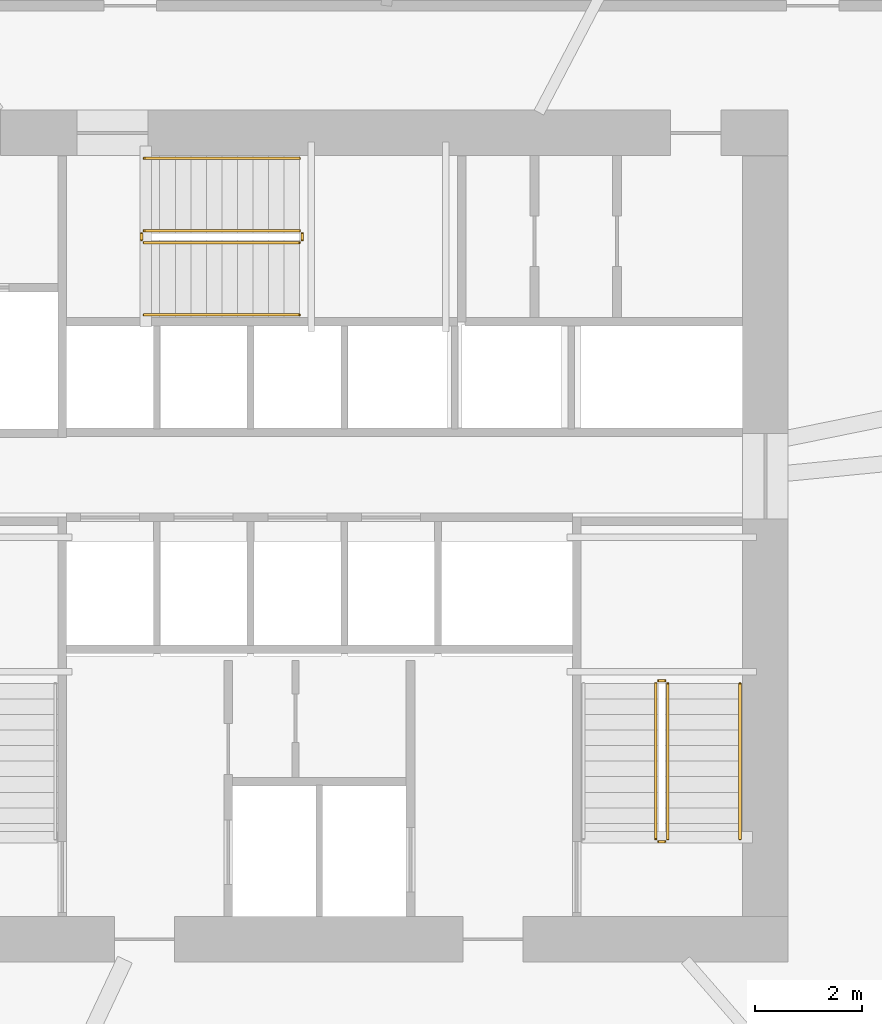
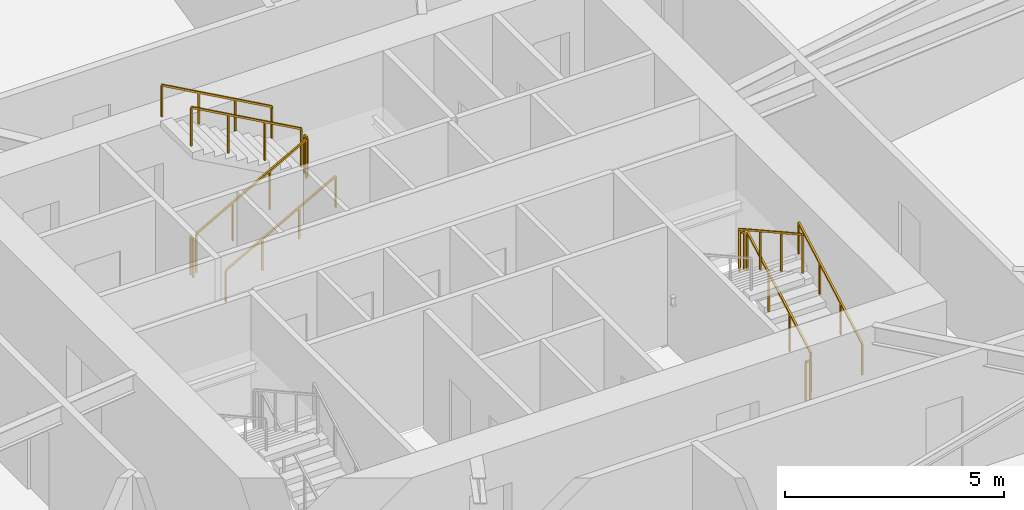
# One storey, part 21 of 22: 11 railings.
"""IFC4 building model written with IfcOpenShell, lengths in metres."""

from ifc_helpers import new_model, si_unit, direction, frame, origin, origin_2d, place, context, subcontext, project, spatial, rectangle, extrude, material, type_object, element, save


model = new_model("IFC4")

# Units and contexts
model_context = context("Model", 3, precision=1e-05, world=origin(), true_north=direction((0.0, 1.0)))
body_context = subcontext(model_context, "Body", "Model", "MODEL_VIEW")
ifc_project = project(units=[si_unit("LENGTHUNIT", "METRE"), si_unit("AREAUNIT", "SQUARE_METRE"), si_unit("VOLUMEUNIT", "CUBIC_METRE"), si_unit("PLANEANGLEUNIT", "RADIAN"), si_unit("MASSUNIT", "GRAM", prefix="KILO")], contexts=[model_context])

# Site, building, storey
site_placement = place(None, origin())
site = spatial("IfcSite", under=ifc_project, at=site_placement, CompositionType="ELEMENT")
building_placement = place(site_placement, origin())
building = spatial("IfcBuilding", under=site, at=building_placement, Name="Olszyna Solenne Hotel", CompositionType="ELEMENT")
storey_placement = place(building_placement, frame((0.0, 0.0, 61.25)))
storey = spatial("IfcBuildingStorey", under=building, at=storey_placement, Name="L15", CompositionType="ELEMENT", Elevation=61.25)

# Railings
ifc_material_1 = material(Name="Anodised bronze aluminium", Category="aluminium")
railing_type_1 = type_object("IfcRailingType", Name="GR-110", PredefinedType="BALUSTRADE", material=ifc_material_1)
railing_1_placement = place(storey_placement, frame((44.5, 20.949951171875, 0.161376953125)))
element("IfcRailing", 1, at=railing_1_placement, inside=storey, type_object=railing_type_1, Name="L15 ST2 stair guard 1", PredefinedType="BALUSTRADE", context=body_context, shape_type="SweptSolid", body=[
    extrude(rectangle(XDim=0.048095703125, YDim=0.048095703125, at=origin_2d()), frame((0.0, 0.0, 1.076171875), z_axis=(0.0, 0.873858693841, 0.486179990537), x_axis=(-1.0, 0.0, 0.0)), (0.0, 0.0, 1.0), 3.31884765625),
    extrude(rectangle(XDim=0.0419921875, YDim=0.0419921875, at=origin_2d()), origin(), (0.0, 0.0, 1.0), 1.052001953125),
    extrude(rectangle(XDim=0.0419921875, YDim=0.0419921875, at=origin_2d()), frame((0.0, 0.966796875, 0.537841796875)), (0.0, 0.0, 1.0), 1.052001953125),
    extrude(rectangle(XDim=0.0419921875, YDim=0.0419921875, at=origin_2d()), frame((0.0, 1.933349609375, 1.07568359375)), (0.0, 0.0, 1.0), 1.052001953125),
    extrude(rectangle(XDim=0.0419921875, YDim=0.0419921875, at=origin_2d()), frame((0.0, 2.900146484375, 1.613525390625)), (0.0, 0.0, 1.0), 1.052001953125),
])
railing_2_placement = place(storey_placement, frame((44.449951171875, 23.89990234375, 1.77490234375)))
element("IfcRailing", 2, at=railing_2_placement, inside=storey, type_object=railing_type_1, Name="L15 ST2 stair guard 2", PredefinedType="BALUSTRADE", context=body_context, shape_type="SweptSolid", body=[
    extrude(rectangle(XDim=0.048095703125, YDim=0.048095703125, at=origin_2d()), frame((0.0, 0.0, 1.076171875), z_axis=(-1.0, 0.0, 0.0), x_axis=(0.0, -1.0, 0.0)), (0.0, 0.0, 1.0), 0.119873046875),
    extrude(rectangle(XDim=0.0419921875, YDim=0.0419921875, at=origin_2d()), origin(), (0.0, 0.0, 1.0), 1.052001953125),
    extrude(rectangle(XDim=0.0419921875, YDim=0.0419921875, at=origin_2d()), frame((-0.119873046875, 0.0, 0.0)), (0.0, 0.0, 1.0), 1.052001953125),
])
railing_3_placement = place(storey_placement, frame((44.280029296875, 23.85009765625, 1.936279296875)))
element("IfcRailing", 3, at=railing_3_placement, inside=storey, type_object=railing_type_1, Name="L15 ST2 stair guard 3", PredefinedType="BALUSTRADE", context=body_context, shape_type="SweptSolid", body=[
    extrude(rectangle(XDim=0.048095703125, YDim=0.048095703125, at=origin_2d()), frame((0.0, 0.0, 1.076171875), z_axis=(0.0, -0.873827439584, 0.48623616261), x_axis=(1.0, 0.0, 0.0)), (0.0, 0.0, 1.0), 3.31884765625),
    extrude(rectangle(XDim=0.0419921875, YDim=0.0419921875, at=origin_2d()), origin(), (0.0, 0.0, 1.0), 1.052001953125),
    extrude(rectangle(XDim=0.0419921875, YDim=0.0419921875, at=origin_2d()), frame((0.0, -0.966796875, 0.537841796875)), (0.0, 0.0, 1.0), 1.052001953125),
    extrude(rectangle(XDim=0.0419921875, YDim=0.0419921875, at=origin_2d()), frame((0.0, -1.933349609375, 1.075927734375)), (0.0, 0.0, 1.0), 1.052001953125),
    extrude(rectangle(XDim=0.0419921875, YDim=0.0419921875, at=origin_2d()), frame((0.0, -2.900146484375, 1.61376953125)), (0.0, 0.0, 1.0), 1.052001953125),
])
railing_4_placement = place(storey_placement, frame((44.449951171875, 20.89990234375, 0.0)))
element("IfcRailing", 4, at=railing_4_placement, inside=storey, type_object=railing_type_1, Name="L15 ST2 stair guard 4", PredefinedType="BALUSTRADE", context=body_context, shape_type="SweptSolid", body=[
    extrude(rectangle(XDim=0.048095703125, YDim=0.048095703125, at=origin_2d()), frame((0.0, 0.0, 1.076171875), z_axis=(-1.0, 0.0, 0.0), x_axis=(0.0, -1.0, 0.0)), (0.0, 0.0, 1.0), 0.119873046875),
    extrude(rectangle(XDim=0.0419921875, YDim=0.0419921875, at=origin_2d()), origin(), (0.0, 0.0, 1.0), 1.052001953125),
    extrude(rectangle(XDim=0.0419921875, YDim=0.0419921875, at=origin_2d()), frame((-0.119873046875, 0.0, 0.0)), (0.0, 0.0, 1.0), 1.052001953125),
])
railing_5_placement = place(storey_placement, frame((34.72998046875, 32.080078125, 0.161376953125)))
element("IfcRailing", 5, at=railing_5_placement, inside=storey, type_object=railing_type_1, Name="L15 ST3 stair guard 1", PredefinedType="BALUSTRADE", context=body_context, shape_type="SweptSolid", body=[
    extrude(rectangle(XDim=0.048095703125, YDim=0.048095703125, at=origin_2d()), frame((0.0, 0.0, 1.076171875), z_axis=(0.873841303929, 0.0, 0.486211245805), x_axis=(0.0, 1.0, 0.0)), (0.0, 0.0, 1.0), 3.318603515625),
    extrude(rectangle(XDim=0.0419921875, YDim=0.0419921875, at=origin_2d()), origin(), (0.0, 0.0, 1.0), 1.052001953125),
    extrude(rectangle(XDim=0.0419921875, YDim=0.0419921875, at=origin_2d()), frame((0.966552734375, 0.0, 0.537841796875)), (0.0, 0.0, 1.0), 1.052001953125),
    extrude(rectangle(XDim=0.0419921875, YDim=0.0419921875, at=origin_2d()), frame((1.933349609375, 0.0, 1.07568359375)), (0.0, 0.0, 1.0), 1.052001953125),
    extrude(rectangle(XDim=0.0419921875, YDim=0.0419921875, at=origin_2d()), frame((2.89990234375, 0.0, 1.613525390625)), (0.0, 0.0, 1.0), 1.052001953125),
])
railing_6_placement = place(storey_placement, frame((37.679931640625, 32.1298828125, 1.77490234375)))
element("IfcRailing", 6, at=railing_6_placement, inside=storey, type_object=railing_type_1, Name="L15 ST3 stair guard 2", PredefinedType="BALUSTRADE", context=body_context, shape_type="SweptSolid", body=[
    extrude(rectangle(XDim=0.048095703125, YDim=0.048095703125, at=origin_2d()), frame((0.0, 0.0, 1.076171875), z_axis=(0.0, 1.0, 0.0), x_axis=(-1.0, 0.0, 0.0)), (0.0, 0.0, 1.0), 0.1201171875),
    extrude(rectangle(XDim=0.0419921875, YDim=0.0419921875, at=origin_2d()), origin(), (0.0, 0.0, 1.0), 1.052001953125),
    extrude(rectangle(XDim=0.0419921875, YDim=0.0419921875, at=origin_2d()), frame((0.0, 0.1201171875, 0.0)), (0.0, 0.0, 1.0), 1.052001953125),
])
railing_7_placement = place(storey_placement, frame((37.6298828125, 32.300048828125, 1.936279296875)))
element("IfcRailing", 7, at=railing_7_placement, inside=storey, type_object=railing_type_1, Name="L15 ST3 stair guard 3", PredefinedType="BALUSTRADE", context=body_context, shape_type="SweptSolid", body=[
    extrude(rectangle(XDim=0.048095703125, YDim=0.048095703125, at=origin_2d()), frame((0.0, 0.0, 1.076171875), z_axis=(-0.873810046276, 0.0, 0.486267419253), x_axis=(0.0, -1.0, 0.0)), (0.0, 0.0, 1.0), 3.318603515625),
    extrude(rectangle(XDim=0.0419921875, YDim=0.0419921875, at=origin_2d()), origin(), (0.0, 0.0, 1.0), 1.052001953125),
    extrude(rectangle(XDim=0.0419921875, YDim=0.0419921875, at=origin_2d()), frame((-0.966552734375, 0.0, 0.537841796875)), (0.0, 0.0, 1.0), 1.052001953125),
    extrude(rectangle(XDim=0.0419921875, YDim=0.0419921875, at=origin_2d()), frame((-1.933349609375, 0.0, 1.075927734375)), (0.0, 0.0, 1.0), 1.052001953125),
    extrude(rectangle(XDim=0.0419921875, YDim=0.0419921875, at=origin_2d()), frame((-2.89990234375, 0.0, 1.61376953125)), (0.0, 0.0, 1.0), 1.052001953125),
])
railing_8_placement = place(storey_placement, frame((34.679931640625, 32.1298828125, 0.0)))
element("IfcRailing", 8, at=railing_8_placement, inside=storey, type_object=railing_type_1, Name="L15 ST3 stair guard 4", PredefinedType="BALUSTRADE", context=body_context, shape_type="SweptSolid", body=[
    extrude(rectangle(XDim=0.048095703125, YDim=0.048095703125, at=origin_2d()), frame((0.0, 0.0, 1.076171875), z_axis=(0.0, 1.0, 0.0), x_axis=(-1.0, 0.0, 0.0)), (0.0, 0.0, 1.0), 0.1201171875),
    extrude(rectangle(XDim=0.0419921875, YDim=0.0419921875, at=origin_2d()), origin(), (0.0, 0.0, 1.0), 1.052001953125),
    extrude(rectangle(XDim=0.0419921875, YDim=0.0419921875, at=origin_2d()), frame((0.0, 0.1201171875, 0.0)), (0.0, 0.0, 1.0), 1.052001953125),
])
ifc_material_2 = material(Name="Steel S355J2", Category="steel")
railing_type_2 = type_object("IfcRailingType", Name="HR-090", PredefinedType="HANDRAIL", material=ifc_material_2)
railing_9_placement = place(storey_placement, frame((45.85009765625, 20.949951171875, 0.161376953125)))
element("IfcRailing", 9, at=railing_9_placement, inside=storey, type_object=railing_type_2, Name="L15 ST2 stair handrail 1", PredefinedType="HANDRAIL", context=body_context, shape_type="SweptSolid", body=[
    extrude(rectangle(XDim=0.048095703125, YDim=0.048095703125, at=origin_2d()), frame((0.0, 0.0, 0.8759765625), z_axis=(0.0, 0.873858693841, 0.486179990537), x_axis=(-1.0, 0.0, 0.0)), (0.0, 0.0, 1.0), 3.31884765625),
    extrude(rectangle(XDim=0.0419921875, YDim=0.0419921875, at=origin_2d()), origin(), (0.0, 0.0, 1.0), 0.851806640625),
    extrude(rectangle(XDim=0.0419921875, YDim=0.0419921875, at=origin_2d()), frame((0.0, 0.966796875, 0.537841796875)), (0.0, 0.0, 1.0), 0.851806640625),
    extrude(rectangle(XDim=0.0419921875, YDim=0.0419921875, at=origin_2d()), frame((0.0, 1.933349609375, 1.07568359375)), (0.0, 0.0, 1.0), 0.851806640625),
    extrude(rectangle(XDim=0.0419921875, YDim=0.0419921875, at=origin_2d()), frame((0.0, 2.900146484375, 1.613525390625)), (0.0, 0.0, 1.0), 0.851806640625),
])
railing_10_placement = place(storey_placement, frame((34.72998046875, 30.72998046875, 0.161376953125)))
element("IfcRailing", 10, at=railing_10_placement, inside=storey, type_object=railing_type_2, Name="L15 ST3 stair handrail 1", PredefinedType="HANDRAIL", context=body_context, shape_type="SweptSolid", body=[
    extrude(rectangle(XDim=0.048095703125, YDim=0.048095703125, at=origin_2d()), frame((0.0, 0.0, 0.8759765625), z_axis=(0.873841303929, 0.0, 0.486211245805), x_axis=(0.0, 1.0, 0.0)), (0.0, 0.0, 1.0), 3.318603515625),
    extrude(rectangle(XDim=0.0419921875, YDim=0.0419921875, at=origin_2d()), origin(), (0.0, 0.0, 1.0), 0.851806640625),
    extrude(rectangle(XDim=0.0419921875, YDim=0.0419921875, at=origin_2d()), frame((0.966552734375, 0.0, 0.537841796875)), (0.0, 0.0, 1.0), 0.851806640625),
    extrude(rectangle(XDim=0.0419921875, YDim=0.0419921875, at=origin_2d()), frame((1.933349609375, 0.0, 1.07568359375)), (0.0, 0.0, 1.0), 0.851806640625),
    extrude(rectangle(XDim=0.0419921875, YDim=0.0419921875, at=origin_2d()), frame((2.89990234375, 0.0, 1.613525390625)), (0.0, 0.0, 1.0), 0.851806640625),
])
railing_11_placement = place(storey_placement, frame((37.6298828125, 33.64990234375, 1.936279296875)))
element("IfcRailing", 11, at=railing_11_placement, inside=storey, type_object=railing_type_2, Name="L15 ST3 stair handrail 2", PredefinedType="HANDRAIL", context=body_context, shape_type="SweptSolid", body=[
    extrude(rectangle(XDim=0.048095703125, YDim=0.048095703125, at=origin_2d()), frame((0.0, 0.0, 0.8759765625), z_axis=(-0.873810046276, 0.0, 0.486267419253), x_axis=(0.0, -1.0, 0.0)), (0.0, 0.0, 1.0), 3.318603515625),
    extrude(rectangle(XDim=0.0419921875, YDim=0.0419921875, at=origin_2d()), origin(), (0.0, 0.0, 1.0), 0.851806640625),
    extrude(rectangle(XDim=0.0419921875, YDim=0.0419921875, at=origin_2d()), frame((-0.966552734375, 0.0, 0.537841796875)), (0.0, 0.0, 1.0), 0.851806640625),
    extrude(rectangle(XDim=0.0419921875, YDim=0.0419921875, at=origin_2d()), frame((-1.933349609375, 0.0, 1.075927734375)), (0.0, 0.0, 1.0), 0.851806640625),
    extrude(rectangle(XDim=0.0419921875, YDim=0.0419921875, at=origin_2d()), frame((-2.89990234375, 0.0, 1.61376953125)), (0.0, 0.0, 1.0), 0.851806640625),
])

save(model, "model.ifc")
